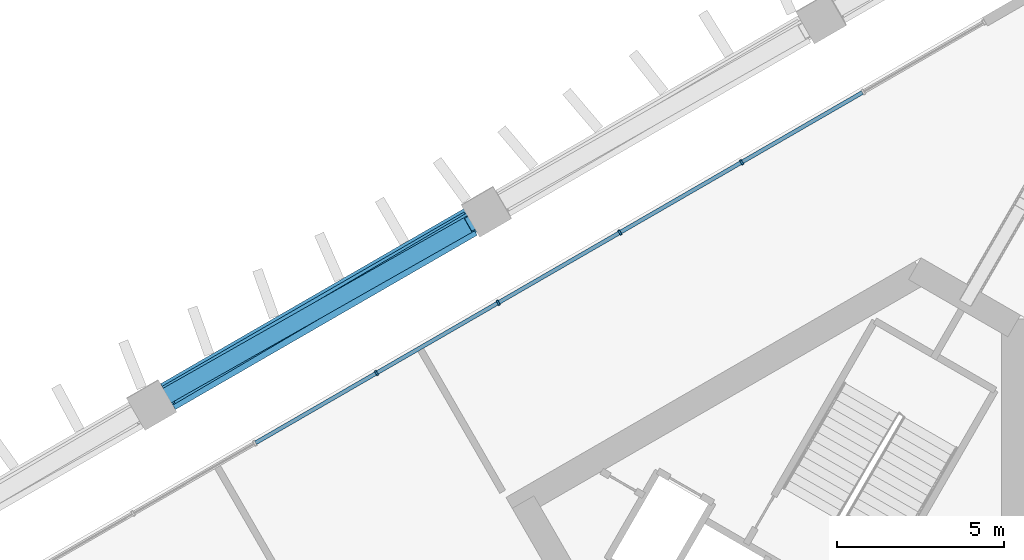
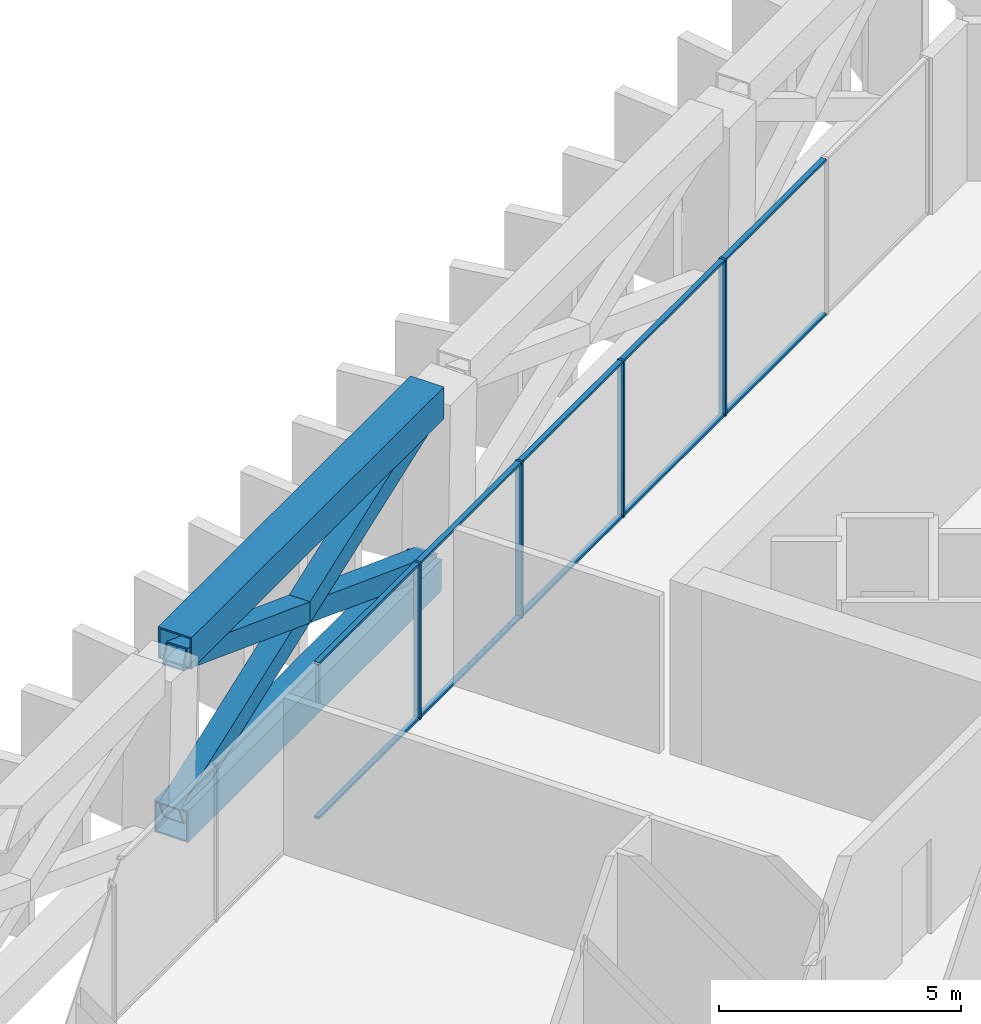
# One storey, part 9 of 17: 18 members, 1 element without a shape of its own.
"""IFC4 building model written with IfcOpenShell, lengths in metres."""

import ifcopenshell
import ifcopenshell.guid

model = None  # the IFC model being written
_history = None  # IfcOwnerHistory: only IFC2X3 demands one
_inside = {}  # id of a spatial element -> (the spatial element, [elements in it])
_under = {}  # id of a project, library or spatial element -> (it, [spatial elements below it])
_declared = {}  # id of a project -> (the project, [libraries it declares])
_typed = {}  # id of a type object -> (the type object, [elements of that type])
_made_of = {}  # id of a material, layer set ... -> (it, [elements and type objects made of it])


def new_model(schema):
    """Start an empty IFC model of exactly this schema.

    Asked for "IFC4X3", IfcOpenShell would pick the latest addendum, in which some entities
    have other attributes; the version numbers below select the first issue.
    IFC2X3 requires an IfcOwnerHistory on every rooted entity: one is made here for all.
    """
    global model, _history
    if schema == "IFC4X3":
        model = ifcopenshell.file(schema_version=(4, 3, 0, 0))
    else:
        model = ifcopenshell.file(schema=schema)
    _inside.clear()
    _under.clear()
    _declared.clear()
    _typed.clear()
    _made_of.clear()
    _history = None
    if model.schema == "IFC2X3":
        org = make("IfcOrganization", Name="unknown")
        user = make(
            "IfcPersonAndOrganization",
            ThePerson=make("IfcPerson", FamilyName="unknown"),
            TheOrganization=org,
        )
        app = make(
            "IfcApplication",
            ApplicationDeveloper=org,
            Version="unknown",
            ApplicationFullName="unknown",
            ApplicationIdentifier="unknown",
        )
        _history = make(
            "IfcOwnerHistory",
            OwningUser=user,
            OwningApplication=app,
            ChangeAction="ADDED",
            CreationDate=0,
        )
    return model


def make(cls, **values):
    """One entity of the class cls with the attributes given. An attribute that is None is left unset."""
    return model.create_entity(
        cls, **{name: value for name, value in values.items() if value is not None}
    )


def rooted(cls, **values):
    """An entity with a GlobalId (a new one), such as an element, a storey or a relation."""
    return make(cls, GlobalId=ifcopenshell.guid.new(), OwnerHistory=_history, **values)


def si_unit(unit_type, name, prefix=None):
    """IfcSIUnit, for example si_unit("LENGTHUNIT", "METRE", prefix="MILLI")."""
    return make("IfcSIUnit", UnitType=unit_type, Prefix=prefix, Name=name)


def assignment(units):
    """IfcUnitAssignment: the units of a project."""
    return None if units is None else make("IfcUnitAssignment", Units=units)


def point(xyz):
    """IfcCartesianPoint."""
    return None if xyz is None else make("IfcCartesianPoint", Coordinates=xyz)


def direction(xyz):
    """IfcDirection."""
    return None if xyz is None else make("IfcDirection", DirectionRatios=xyz)


def frame(location, z_axis=None, x_axis=None):
    """IfcAxis2Placement3D, a coordinate frame: its origin and axes. An axis left out is left unset."""
    return make(
        "IfcAxis2Placement3D",
        Location=point(location),
        Axis=direction(z_axis),
        RefDirection=direction(x_axis),
    )


def frame_2d(location, x_axis=None):
    """IfcAxis2Placement2D, a coordinate frame in the plane: its origin and x axis."""
    return make(
        "IfcAxis2Placement2D", Location=point(location), RefDirection=direction(x_axis)
    )


def origin():
    """The frame at (0, 0, 0) with its axes left unset."""
    return frame((0.0, 0.0, 0.0))


def origin_2d():
    """The frame at (0, 0) in the plane with its x axis left unset."""
    return frame_2d((0.0, 0.0))


def place(relative_to, where):
    """IfcLocalPlacement: puts the frame where relative to a parent placement (None: the world)."""
    return make(
        "IfcLocalPlacement", PlacementRelTo=relative_to, RelativePlacement=where
    )


def context(
    kind, dimensions, precision=None, world=None, true_north=None, identifier=None
):
    """IfcGeometricRepresentationContext, for example the 3D "Model" context."""
    return make(
        "IfcGeometricRepresentationContext",
        ContextIdentifier=identifier,
        ContextType=kind,
        CoordinateSpaceDimension=dimensions,
        Precision=precision,
        WorldCoordinateSystem=world,
        TrueNorth=true_north,
    )


def subcontext(parent, identifier, kind, view, scale=None):
    """IfcGeometricRepresentationSubContext, for example "Body" below "Model"."""
    return make(
        "IfcGeometricRepresentationSubContext",
        ContextIdentifier=identifier,
        ContextType=kind,
        ParentContext=parent,
        TargetScale=scale,
        TargetView=view,
    )


def project(units=None, contexts=None):
    """IfcProject with its units and contexts."""
    return rooted(
        "IfcProject",
        Name="project",
        RepresentationContexts=contexts,
        UnitsInContext=assignment(units),
    )


def spatial(cls, under=None, at=None, **own):
    """A site, building, storey or space (cls), placed at a placement, below another one or the project."""
    s = rooted(cls, ObjectPlacement=at, **own)
    if under is not None:
        _under.setdefault(under.id(), (under, []))[1].append(s)
    return s


def profile(cls, at=None, kind="AREA", **sizes):
    """A parametric profile (cls). Its sizes go by their IFC names, for example OverallWidth=200.0."""
    return make(cls, ProfileType=kind, Position=at, **sizes)


def rectangle(**sizes):
    """IfcRectangleProfileDef."""
    return profile("IfcRectangleProfileDef", **sizes)


def hollow_rectangle(**sizes):
    """IfcRectangleHollowProfileDef."""
    return profile("IfcRectangleHollowProfileDef", **sizes)


def extrude(swept, where, along, depth):
    """IfcExtrudedAreaSolid: the profile swept, set in the frame where, extruded along a direction by depth."""
    return make(
        "IfcExtrudedAreaSolid",
        SweptArea=swept,
        Position=where,
        ExtrudedDirection=direction(along),
        Depth=depth,
    )


def shape(context_of_items, identifier, shape_type, items):
    """IfcShapeRepresentation: the items that make up one representation, for example the "Body"."""
    return make(
        "IfcShapeRepresentation",
        ContextOfItems=context_of_items,
        RepresentationIdentifier=identifier,
        RepresentationType=shape_type,
        Items=items,
    )


def material(Name=None, Category=None):
    """IfcMaterial."""
    return make("IfcMaterial", Name=Name, Category=Category)


def layer(
    of_material, thickness, ventilated=None, Name=None, Category=None, Priority=None
):
    """IfcMaterialLayer: one layer of a wall or slab, of a material (None: an air gap)."""
    return make(
        "IfcMaterialLayer",
        Material=of_material,
        LayerThickness=thickness,
        IsVentilated=ventilated,
        Name=Name,
        Category=Category,
        Priority=Priority,
    )


def layer_set(layers, Name=None):
    """IfcMaterialLayerSet."""
    return make("IfcMaterialLayerSet", MaterialLayers=layers, LayerSetName=Name)


def material_profile(
    of_material, cross_section, Name=None, Category=None, Priority=None
):
    """IfcMaterialProfile: a cross section and its material."""
    return make(
        "IfcMaterialProfile",
        Name=Name,
        Material=of_material,
        Profile=cross_section,
        Priority=Priority,
        Category=Category,
    )


def profile_set(profiles, Name=None, composite=None):
    """IfcMaterialProfileSet."""
    return make(
        "IfcMaterialProfileSet",
        Name=Name,
        MaterialProfiles=profiles,
        CompositeProfile=composite,
    )


def made_of(thing, what):
    """Note that an element or type object is made of a material, layer set ...; save() writes the relation."""
    if what is not None:
        _made_of.setdefault(what.id(), (what, []))[1].append(thing)
    return thing


def type_object(cls, material=None, **own):
    """A type object (cls), such as IfcWallType, which elements share."""
    return made_of(rooted(cls, **own), material)


def element(
    cls,
    number,
    at=None,
    inside=None,
    cuts=None,
    type_object=None,
    material=None,
    context=None,
    identifier="Body",
    shape_type=None,
    held_by="IfcProductDefinitionShape",
    body=None,
    shapes=None,
    **own,
):
    """One element of the class cls, such as IfcWall. Its Tag is "e" and its number.

    at: its placement. inside: the storey or other place that contains it. cuts: it is an
    opening in that element (IfcRelVoidsElement). A single representation is given by context,
    identifier, shape_type and body (its items); several are given by shapes. held_by: the class
    of the entity that holds the representations. save() writes the other relations.
    """
    e = rooted(cls, Tag="e%d" % number, ObjectPlacement=at, **own)
    if body is not None:
        shapes = [shape(context, identifier, shape_type, body)]
    if shapes is not None:
        e.Representation = make(held_by, Representations=shapes)
    if inside is not None:
        _inside.setdefault(inside.id(), (inside, []))[1].append(e)
    if cuts is not None:
        rooted(
            "IfcRelVoidsElement", RelatingBuildingElement=cuts, RelatedOpeningElement=e
        )
    if type_object is not None:
        _typed.setdefault(type_object.id(), (type_object, []))[1].append(e)
    return made_of(e, material)


def aggregate(whole, parts):
    """IfcRelAggregates: a whole, such as a stair, and the parts it consists of."""
    return rooted("IfcRelAggregates", RelatingObject=whole, RelatedObjects=parts)


def save(model, path):
    """Write the relations noted so far, then the file.

    IfcRelAggregates (storeys below a building ...), IfcRelContainedInSpatialStructure (elements
    in a storey), IfcRelDefinesByType, IfcRelAssociatesMaterial and IfcRelDeclares: one each for
    every whole, place, type object, material and project.
    """
    for whole, parts in _under.values():
        aggregate(whole, parts)
    for where, things in _inside.values():
        rooted(
            "IfcRelContainedInSpatialStructure",
            RelatedElements=things,
            RelatingStructure=where,
        )
    for kind, things in _typed.values():
        rooted("IfcRelDefinesByType", RelatedObjects=things, RelatingType=kind)
    for what, things in _made_of.values():
        rooted("IfcRelAssociatesMaterial", RelatedObjects=things, RelatingMaterial=what)
    for by, libraries in _declared.values():
        rooted("IfcRelDeclares", RelatingContext=by, RelatedDefinitions=libraries)
    model.write(path)


model = new_model("IFC4")

# Units and contexts
model_context = context("Model", 3, precision=1e-05, world=origin(), true_north=direction((0.0, 1.0)))
body_context = subcontext(model_context, "Body", "Model", "MODEL_VIEW")
ifc_project = project(units=[si_unit("LENGTHUNIT", "METRE"), si_unit("AREAUNIT", "SQUARE_METRE"), si_unit("VOLUMEUNIT", "CUBIC_METRE"), si_unit("PLANEANGLEUNIT", "RADIAN"), si_unit("MASSUNIT", "GRAM", prefix="KILO")], contexts=[model_context])

# Site, building, storey
site_placement = place(None, origin())
site = spatial("IfcSite", under=ifc_project, at=site_placement, CompositionType="ELEMENT")
building_placement = place(site_placement, origin())
building = spatial("IfcBuilding", under=site, at=building_placement, Name="Jabali Bay Hotel Tower and Convention Centre", CompositionType="ELEMENT")
storey_placement = place(building_placement, frame((0.0, 0.0, 102.39990234375)))
storey = spatial("IfcBuildingStorey", under=building, at=storey_placement, Name="L24", CompositionType="ELEMENT", Elevation=102.39990234375)

# Members
ifc_material_1 = material(Name="Steel Q420GJC", Category="steel")
ifc_material_profile_1 = material_profile(ifc_material_1, hollow_rectangle(XDim=0.5, YDim=0.5, WallThickness=0.030029296875, at=origin_2d()), Name="Belt brace 500x500x30")
ifc_profile_set_1 = profile_set([ifc_material_profile_1], Name="Steel Q420GJC")
member_type_1 = type_object("IfcMemberType", Name="Belt brace 500x500x30", PredefinedType="BRACE", material=ifc_profile_set_1)
member_1_placement = place(storey_placement, frame((73.249755859375, 105.0673828125, 0.209228515625), z_axis=(-0.805835633176, -0.473543964919, 0.355506744792), x_axis=(0.506640934774, -0.86215715691, 0.0)))
element("IfcMember", 1, at=member_1_placement, inside=storey, type_object=member_type_1, Name="Belt brace T2 F1.2-F1.3 x1", PredefinedType="BRACE", context=body_context, shape_type="SweptSolid", body=[
    extrude(hollow_rectangle(XDim=0.5, YDim=0.5, WallThickness=0.030029296875, at=origin_2d()), origin(), (0.0, 0.0, 1.0), 11.199951171875),
])
member_2_placement = place(storey_placement, frame((64.184326171875, 99.83349609375, 0.210205078125), z_axis=(0.812615311178, 0.460846771007, 0.35675847529), x_axis=(-0.49330809366, 0.869854657244, 0.0)))
element("IfcMember", 2, at=member_2_placement, inside=storey, type_object=member_type_1, Name="Belt brace T2 F1.2-F1.3 x2", PredefinedType="BRACE", context=body_context, shape_type="SweptSolid", body=[
    extrude(hollow_rectangle(XDim=0.5, YDim=0.5, WallThickness=0.030029296875, at=origin_2d()), origin(), (0.0, 0.0, 1.0), 11.1552734375),
])
ifc_material_profile_2 = material_profile(ifc_material_1, hollow_rectangle(XDim=0.800048828125, YDim=0.800048828125, WallThickness=0.0400390625, at=origin_2d()), Name="Belt chord 800x800x40")
ifc_profile_set_2 = profile_set([ifc_material_profile_2], Name="Steel Q420GJC")
member_type_2 = type_object("IfcMemberType", Name="Belt chord 800x800x40", PredefinedType="CHORD", material=ifc_profile_set_2)
member_3_placement = place(storey_placement, frame((73.24755859375, 105.071044921875, 0.0), z_axis=(-0.866027122606, -0.499997022903, 0.0), x_axis=(0.499997022903, -0.866027122606, 0.0)))
element("IfcMember", 3, at=member_3_placement, inside=storey, type_object=member_type_2, Name="Belt chord T2 F1.2-F1.3", PredefinedType="CHORD", context=body_context, shape_type="SweptSolid", body=[
    extrude(hollow_rectangle(XDim=0.800048828125, YDim=0.800048828125, WallThickness=0.0400390625, at=origin_2d()), origin(), (0.0, 0.0, 1.0), 10.4677734375),
])
member_4_placement = place(storey_placement, frame((73.25146484375, 104.970703125, 4.400146484375), z_axis=(-0.866018607488, -0.500011771347, 0.0), x_axis=(0.500011771347, -0.866018607488, 0.0)))
element("IfcMember", 4, at=member_4_placement, inside=storey, type_object=member_type_2, Name="Belt chord T2 F1.2-F1.3", PredefinedType="CHORD", context=body_context, shape_type="SweptSolid", body=[
    extrude(hollow_rectangle(XDim=0.800048828125, YDim=0.800048828125, WallThickness=0.0400390625, at=origin_2d()), origin(), (0.0, 0.0, 1.0), 10.421142578125),
])

# Curtain wall, members
ifc_material_2 = material(Name="Aluminium and glass", Category="aluminium")
ifc_layer = layer(ifc_material_2, 0.159912109375)
ifc_layer_set = layer_set([ifc_layer], Name="Aluminium and glass")
curtain_wall_type = type_object("IfcCurtainWallType", Name="CW3 curtain wall", PredefinedType="NOTDEFINED", material=ifc_layer_set)
curtain_wall_placement = place(storey_placement, origin())
curtain_wall = element("IfcCurtainWall", 5, at=curtain_wall_placement, inside=storey, type_object=curtain_wall_type, Name="CW3 curtain wall north-west face L24", PredefinedType="NOTDEFINED")
ifc_material_3 = material(Name="Aluminium", Category="aluminium")
ifc_material_profile_3 = material_profile(ifc_material_3, rectangle(XDim=0.159912109375, YDim=0.06005859375, at=origin_2d()), Name="CW3 mullion 60 x 160")
ifc_profile_set_3 = profile_set([ifc_material_profile_3], Name="Aluminium")
member_type_3 = type_object("IfcMemberType", Name="CW3 mullion 60 x 160", PredefinedType="MULLION", material=ifc_profile_set_3)
member_5_placement = place(storey_placement, frame((70.43896484375, 100.5048828125, 0.0), z_axis=(0.0, 0.0, 1.0), x_axis=(-0.499999994256, 0.866025407101, 0.0)))
member_5 = element("IfcMember", 6, at=member_5_placement, type_object=member_type_3, Name="CW3 mullion 9", PredefinedType="MULLION", context=body_context, shape_type="SweptSolid", body=[
    extrude(rectangle(XDim=0.159912109375, YDim=0.06005859375, at=origin_2d()), origin(), (0.0, 0.0, 1.0), 3.9501953125),
])
member_6_placement = place(storey_placement, frame((74.077880859375, 102.60595703125, 0.0), z_axis=(0.0, 0.0, 1.0), x_axis=(-0.499999994256, 0.866025407101, 0.0)))
member_6 = element("IfcMember", 7, at=member_6_placement, type_object=member_type_3, Name="CW3 mullion 10", PredefinedType="MULLION", context=body_context, shape_type="SweptSolid", body=[
    extrude(rectangle(XDim=0.159912109375, YDim=0.06005859375, at=origin_2d()), origin(), (0.0, 0.0, 1.0), 3.9501953125),
])
member_7_placement = place(storey_placement, frame((77.716552734375, 104.706787109375, 0.0), z_axis=(0.0, 0.0, 1.0), x_axis=(-0.499999994256, 0.866025407101, 0.0)))
member_7 = element("IfcMember", 8, at=member_7_placement, type_object=member_type_3, Name="CW3 mullion 11", PredefinedType="MULLION", context=body_context, shape_type="SweptSolid", body=[
    extrude(rectangle(XDim=0.159912109375, YDim=0.06005859375, at=origin_2d()), origin(), (0.0, 0.0, 1.0), 3.9501953125),
])
member_8_placement = place(storey_placement, frame((81.35546875, 106.8076171875, 0.0), z_axis=(0.0, 0.0, 1.0), x_axis=(-0.499999994256, 0.866025407101, 0.0)))
member_8 = element("IfcMember", 9, at=member_8_placement, type_object=member_type_3, Name="CW3 mullion 12", PredefinedType="MULLION", context=body_context, shape_type="SweptSolid", body=[
    extrude(rectangle(XDim=0.159912109375, YDim=0.06005859375, at=origin_2d()), origin(), (0.0, 0.0, 1.0), 3.9501953125),
])
ifc_material_profile_4 = material_profile(ifc_material_3, rectangle(XDim=0.1201171875, YDim=0.06005859375, at=origin_2d()), Name="CW3 transom 60 x 120")
ifc_profile_set_4 = profile_set([ifc_material_profile_4], Name="Aluminium")
member_type_4 = type_object("IfcMemberType", Name="CW3 transom 60 x 120", PredefinedType="USERDEFINED", material=ifc_profile_set_4)
member_9_placement = place(storey_placement, frame((66.826171875, 98.419189453125, 0.030029296875), z_axis=(0.86603638303, 0.499980982906, 0.0), x_axis=(-0.499980982906, 0.86603638303, 0.0)))
member_9 = element("IfcMember", 10, at=member_9_placement, type_object=member_type_4, Name="CW3 transom 8.1", ObjectType="TRANSOM", PredefinedType="USERDEFINED", context=body_context, shape_type="SweptSolid", body=[
    extrude(rectangle(XDim=0.1201171875, YDim=0.06005859375, at=origin_2d()), origin(), (0.0, 0.0, 1.0), 4.141845703125),
])
member_10_placement = place(storey_placement, frame((66.826171875, 98.419189453125, 3.920166015625), z_axis=(0.86603638303, 0.499980982906, 0.0), x_axis=(-0.499980982906, 0.86603638303, 0.0)))
member_10 = element("IfcMember", 11, at=member_10_placement, type_object=member_type_4, Name="CW3 transom 8.2", ObjectType="TRANSOM", PredefinedType="USERDEFINED", context=body_context, shape_type="SweptSolid", body=[
    extrude(rectangle(XDim=0.1201171875, YDim=0.06005859375, at=origin_2d()), origin(), (0.0, 0.0, 1.0), 4.141845703125),
])
member_11_placement = place(storey_placement, frame((70.465087890625, 100.52001953125, 0.030029296875), z_axis=(0.866021646493, 0.500006507763, 0.0), x_axis=(-0.500006507763, 0.866021646493, 0.0)))
member_11 = element("IfcMember", 12, at=member_11_placement, type_object=member_type_4, Name="CW3 transom 9.1", ObjectType="TRANSOM", PredefinedType="USERDEFINED", context=body_context, shape_type="SweptSolid", body=[
    extrude(rectangle(XDim=0.1201171875, YDim=0.06005859375, at=origin_2d()), origin(), (0.0, 0.0, 1.0), 4.1416015625),
])
member_12_placement = place(storey_placement, frame((70.465087890625, 100.52001953125, 3.920166015625), z_axis=(0.866021646493, 0.500006507763, 0.0), x_axis=(-0.500006507763, 0.866021646493, 0.0)))
member_12 = element("IfcMember", 13, at=member_12_placement, type_object=member_type_4, Name="CW3 transom 9.2", ObjectType="TRANSOM", PredefinedType="USERDEFINED", context=body_context, shape_type="SweptSolid", body=[
    extrude(rectangle(XDim=0.1201171875, YDim=0.06005859375, at=origin_2d()), origin(), (0.0, 0.0, 1.0), 4.1416015625),
])
member_13_placement = place(storey_placement, frame((74.103759765625, 102.620849609375, 0.030029296875), z_axis=(0.86603638303, 0.499980982906, 0.0), x_axis=(-0.499980982906, 0.86603638303, 0.0)))
member_13 = element("IfcMember", 14, at=member_13_placement, type_object=member_type_4, Name="CW3 transom 10.1", ObjectType="TRANSOM", PredefinedType="USERDEFINED", context=body_context, shape_type="SweptSolid", body=[
    extrude(rectangle(XDim=0.1201171875, YDim=0.06005859375, at=origin_2d()), origin(), (0.0, 0.0, 1.0), 4.141845703125),
])
member_14_placement = place(storey_placement, frame((74.103759765625, 102.620849609375, 3.920166015625), z_axis=(0.86603638303, 0.499980982906, 0.0), x_axis=(-0.499980982906, 0.86603638303, 0.0)))
member_14 = element("IfcMember", 15, at=member_14_placement, type_object=member_type_4, Name="CW3 transom 10.2", ObjectType="TRANSOM", PredefinedType="USERDEFINED", context=body_context, shape_type="SweptSolid", body=[
    extrude(rectangle(XDim=0.1201171875, YDim=0.06005859375, at=origin_2d()), origin(), (0.0, 0.0, 1.0), 4.141845703125),
])
member_15_placement = place(storey_placement, frame((77.74267578125, 104.7216796875, 0.030029296875), z_axis=(0.86603638303, 0.499980982906, 0.0), x_axis=(-0.499980982906, 0.86603638303, 0.0)))
member_15 = element("IfcMember", 16, at=member_15_placement, type_object=member_type_4, Name="CW3 transom 11.1", ObjectType="TRANSOM", PredefinedType="USERDEFINED", context=body_context, shape_type="SweptSolid", body=[
    extrude(rectangle(XDim=0.1201171875, YDim=0.06005859375, at=origin_2d()), origin(), (0.0, 0.0, 1.0), 4.141845703125),
])
member_16_placement = place(storey_placement, frame((77.74267578125, 104.7216796875, 3.920166015625), z_axis=(0.86603638303, 0.499980982906, 0.0), x_axis=(-0.499980982906, 0.86603638303, 0.0)))
member_16 = element("IfcMember", 17, at=member_16_placement, type_object=member_type_4, Name="CW3 transom 11.2", ObjectType="TRANSOM", PredefinedType="USERDEFINED", context=body_context, shape_type="SweptSolid", body=[
    extrude(rectangle(XDim=0.1201171875, YDim=0.06005859375, at=origin_2d()), origin(), (0.0, 0.0, 1.0), 4.141845703125),
])
member_17_placement = place(storey_placement, frame((81.38134765625, 106.822509765625, 0.030029296875), z_axis=(0.866010858883, 0.500025191662, 0.0), x_axis=(-0.500025191662, 0.866010858883, 0.0)))
member_17 = element("IfcMember", 18, at=member_17_placement, type_object=member_type_4, Name="CW3 transom 12.1", ObjectType="TRANSOM", PredefinedType="USERDEFINED", context=body_context, shape_type="SweptSolid", body=[
    extrude(rectangle(XDim=0.1201171875, YDim=0.06005859375, at=origin_2d()), origin(), (0.0, 0.0, 1.0), 4.141845703125),
])
member_18_placement = place(storey_placement, frame((81.38134765625, 106.822509765625, 3.920166015625), z_axis=(0.866010858883, 0.500025191662, 0.0), x_axis=(-0.500025191662, 0.866010858883, 0.0)))
member_18 = element("IfcMember", 19, at=member_18_placement, type_object=member_type_4, Name="CW3 transom 12.2", ObjectType="TRANSOM", PredefinedType="USERDEFINED", context=body_context, shape_type="SweptSolid", body=[
    extrude(rectangle(XDim=0.1201171875, YDim=0.06005859375, at=origin_2d()), origin(), (0.0, 0.0, 1.0), 4.141845703125),
])
aggregate(curtain_wall, [member_5, member_6, member_7, member_8, member_9, member_10, member_11, member_12, member_13, member_14, member_15, member_16, member_17, member_18])

save(model, "model.ifc")
